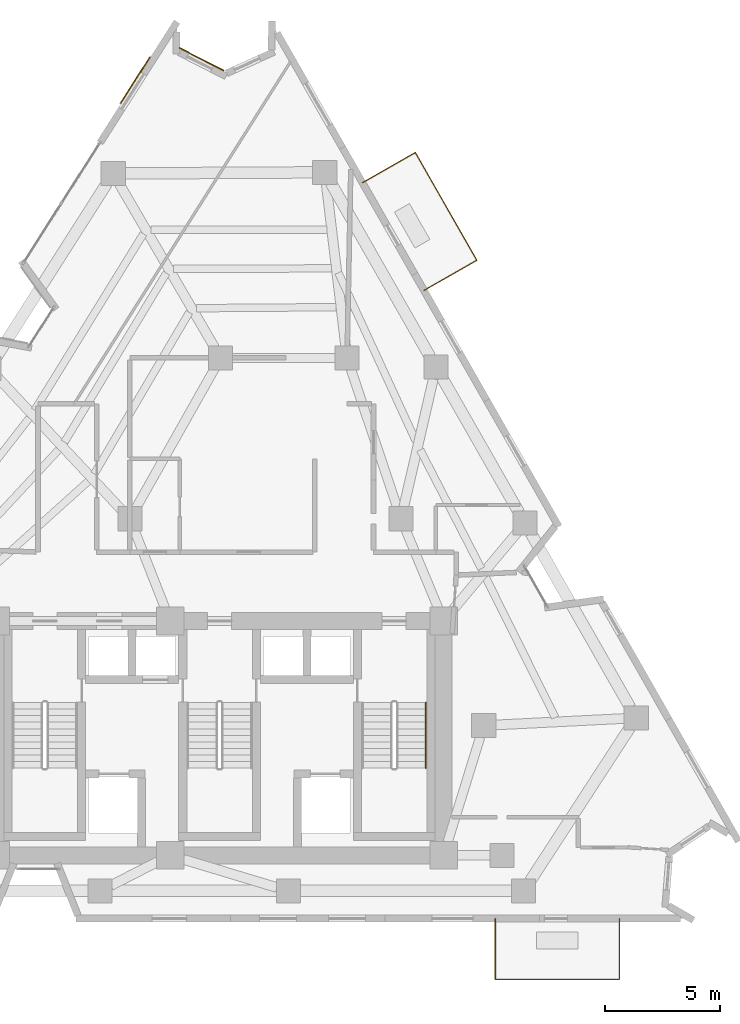
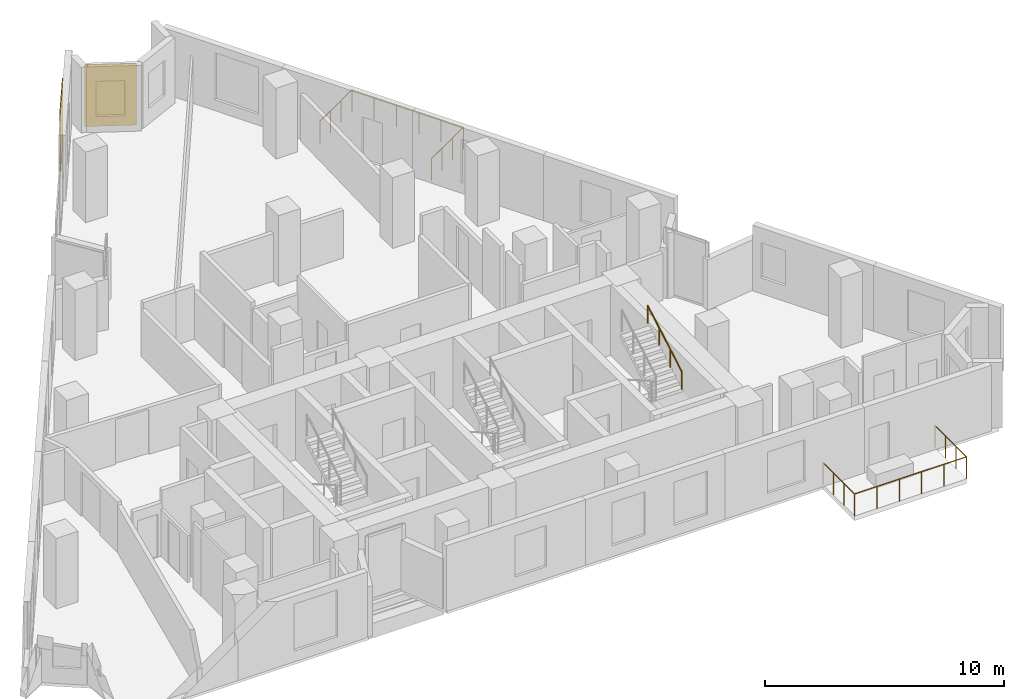
# One storey, part 12 of 12: 3 railings, 2 coverings.
"""IFC4 building model written with IfcOpenShell, lengths in metres."""

import ifcopenshell
import ifcopenshell.guid

model = None  # the IFC model being written
_history = None  # IfcOwnerHistory: only IFC2X3 demands one
_inside = {}  # id of a spatial element -> (the spatial element, [elements in it])
_under = {}  # id of a project, library or spatial element -> (it, [spatial elements below it])
_declared = {}  # id of a project -> (the project, [libraries it declares])
_typed = {}  # id of a type object -> (the type object, [elements of that type])
_made_of = {}  # id of a material, layer set ... -> (it, [elements and type objects made of it])


def new_model(schema):
    """Start an empty IFC model of exactly this schema.

    Asked for "IFC4X3", IfcOpenShell would pick the latest addendum, in which some entities
    have other attributes; the version numbers below select the first issue.
    IFC2X3 requires an IfcOwnerHistory on every rooted entity: one is made here for all.
    """
    global model, _history
    if schema == "IFC4X3":
        model = ifcopenshell.file(schema_version=(4, 3, 0, 0))
    else:
        model = ifcopenshell.file(schema=schema)
    _inside.clear()
    _under.clear()
    _declared.clear()
    _typed.clear()
    _made_of.clear()
    _history = None
    if model.schema == "IFC2X3":
        org = make("IfcOrganization", Name="unknown")
        user = make(
            "IfcPersonAndOrganization",
            ThePerson=make("IfcPerson", FamilyName="unknown"),
            TheOrganization=org,
        )
        app = make(
            "IfcApplication",
            ApplicationDeveloper=org,
            Version="unknown",
            ApplicationFullName="unknown",
            ApplicationIdentifier="unknown",
        )
        _history = make(
            "IfcOwnerHistory",
            OwningUser=user,
            OwningApplication=app,
            ChangeAction="ADDED",
            CreationDate=0,
        )
    return model


def make(cls, **values):
    """One entity of the class cls with the attributes given. An attribute that is None is left unset."""
    return model.create_entity(
        cls, **{name: value for name, value in values.items() if value is not None}
    )


def rooted(cls, **values):
    """An entity with a GlobalId (a new one), such as an element, a storey or a relation."""
    return make(cls, GlobalId=ifcopenshell.guid.new(), OwnerHistory=_history, **values)


def si_unit(unit_type, name, prefix=None):
    """IfcSIUnit, for example si_unit("LENGTHUNIT", "METRE", prefix="MILLI")."""
    return make("IfcSIUnit", UnitType=unit_type, Prefix=prefix, Name=name)


def assignment(units):
    """IfcUnitAssignment: the units of a project."""
    return None if units is None else make("IfcUnitAssignment", Units=units)


def point(xyz):
    """IfcCartesianPoint."""
    return None if xyz is None else make("IfcCartesianPoint", Coordinates=xyz)


def direction(xyz):
    """IfcDirection."""
    return None if xyz is None else make("IfcDirection", DirectionRatios=xyz)


def frame(location, z_axis=None, x_axis=None):
    """IfcAxis2Placement3D, a coordinate frame: its origin and axes. An axis left out is left unset."""
    return make(
        "IfcAxis2Placement3D",
        Location=point(location),
        Axis=direction(z_axis),
        RefDirection=direction(x_axis),
    )


def frame_2d(location, x_axis=None):
    """IfcAxis2Placement2D, a coordinate frame in the plane: its origin and x axis."""
    return make(
        "IfcAxis2Placement2D", Location=point(location), RefDirection=direction(x_axis)
    )


def origin():
    """The frame at (0, 0, 0) with its axes left unset."""
    return frame((0.0, 0.0, 0.0))


def origin_2d():
    """The frame at (0, 0) in the plane with its x axis left unset."""
    return frame_2d((0.0, 0.0))


def place(relative_to, where):
    """IfcLocalPlacement: puts the frame where relative to a parent placement (None: the world)."""
    return make(
        "IfcLocalPlacement", PlacementRelTo=relative_to, RelativePlacement=where
    )


def context(
    kind, dimensions, precision=None, world=None, true_north=None, identifier=None
):
    """IfcGeometricRepresentationContext, for example the 3D "Model" context."""
    return make(
        "IfcGeometricRepresentationContext",
        ContextIdentifier=identifier,
        ContextType=kind,
        CoordinateSpaceDimension=dimensions,
        Precision=precision,
        WorldCoordinateSystem=world,
        TrueNorth=true_north,
    )


def subcontext(parent, identifier, kind, view, scale=None):
    """IfcGeometricRepresentationSubContext, for example "Body" below "Model"."""
    return make(
        "IfcGeometricRepresentationSubContext",
        ContextIdentifier=identifier,
        ContextType=kind,
        ParentContext=parent,
        TargetScale=scale,
        TargetView=view,
    )


def project(units=None, contexts=None):
    """IfcProject with its units and contexts."""
    return rooted(
        "IfcProject",
        Name="project",
        RepresentationContexts=contexts,
        UnitsInContext=assignment(units),
    )


def spatial(cls, under=None, at=None, **own):
    """A site, building, storey or space (cls), placed at a placement, below another one or the project."""
    s = rooted(cls, ObjectPlacement=at, **own)
    if under is not None:
        _under.setdefault(under.id(), (under, []))[1].append(s)
    return s


def profile(cls, at=None, kind="AREA", **sizes):
    """A parametric profile (cls). Its sizes go by their IFC names, for example OverallWidth=200.0."""
    return make(cls, ProfileType=kind, Position=at, **sizes)


def rectangle(**sizes):
    """IfcRectangleProfileDef."""
    return profile("IfcRectangleProfileDef", **sizes)


def circle(**sizes):
    """IfcCircleProfileDef."""
    return profile("IfcCircleProfileDef", **sizes)


def extrude(swept, where, along, depth):
    """IfcExtrudedAreaSolid: the profile swept, set in the frame where, extruded along a direction by depth."""
    return make(
        "IfcExtrudedAreaSolid",
        SweptArea=swept,
        Position=where,
        ExtrudedDirection=direction(along),
        Depth=depth,
    )


def shape(context_of_items, identifier, shape_type, items):
    """IfcShapeRepresentation: the items that make up one representation, for example the "Body"."""
    return make(
        "IfcShapeRepresentation",
        ContextOfItems=context_of_items,
        RepresentationIdentifier=identifier,
        RepresentationType=shape_type,
        Items=items,
    )


def material(Name=None, Category=None):
    """IfcMaterial."""
    return make("IfcMaterial", Name=Name, Category=Category)


def layer(
    of_material, thickness, ventilated=None, Name=None, Category=None, Priority=None
):
    """IfcMaterialLayer: one layer of a wall or slab, of a material (None: an air gap)."""
    return make(
        "IfcMaterialLayer",
        Material=of_material,
        LayerThickness=thickness,
        IsVentilated=ventilated,
        Name=Name,
        Category=Category,
        Priority=Priority,
    )


def layer_set(layers, Name=None):
    """IfcMaterialLayerSet."""
    return make("IfcMaterialLayerSet", MaterialLayers=layers, LayerSetName=Name)


def made_of(thing, what):
    """Note that an element or type object is made of a material, layer set ...; save() writes the relation."""
    if what is not None:
        _made_of.setdefault(what.id(), (what, []))[1].append(thing)
    return thing


def type_object(cls, material=None, **own):
    """A type object (cls), such as IfcWallType, which elements share."""
    return made_of(rooted(cls, **own), material)


def element(
    cls,
    number,
    at=None,
    inside=None,
    cuts=None,
    type_object=None,
    material=None,
    context=None,
    identifier="Body",
    shape_type=None,
    held_by="IfcProductDefinitionShape",
    body=None,
    shapes=None,
    **own,
):
    """One element of the class cls, such as IfcWall. Its Tag is "e" and its number.

    at: its placement. inside: the storey or other place that contains it. cuts: it is an
    opening in that element (IfcRelVoidsElement). A single representation is given by context,
    identifier, shape_type and body (its items); several are given by shapes. held_by: the class
    of the entity that holds the representations. save() writes the other relations.
    """
    e = rooted(cls, Tag="e%d" % number, ObjectPlacement=at, **own)
    if body is not None:
        shapes = [shape(context, identifier, shape_type, body)]
    if shapes is not None:
        e.Representation = make(held_by, Representations=shapes)
    if inside is not None:
        _inside.setdefault(inside.id(), (inside, []))[1].append(e)
    if cuts is not None:
        rooted(
            "IfcRelVoidsElement", RelatingBuildingElement=cuts, RelatedOpeningElement=e
        )
    if type_object is not None:
        _typed.setdefault(type_object.id(), (type_object, []))[1].append(e)
    return made_of(e, material)


def aggregate(whole, parts):
    """IfcRelAggregates: a whole, such as a stair, and the parts it consists of."""
    return rooted("IfcRelAggregates", RelatingObject=whole, RelatedObjects=parts)


def save(model, path):
    """Write the relations noted so far, then the file.

    IfcRelAggregates (storeys below a building ...), IfcRelContainedInSpatialStructure (elements
    in a storey), IfcRelDefinesByType, IfcRelAssociatesMaterial and IfcRelDeclares: one each for
    every whole, place, type object, material and project.
    """
    for whole, parts in _under.values():
        aggregate(whole, parts)
    for where, things in _inside.values():
        rooted(
            "IfcRelContainedInSpatialStructure",
            RelatedElements=things,
            RelatingStructure=where,
        )
    for kind, things in _typed.values():
        rooted("IfcRelDefinesByType", RelatedObjects=things, RelatingType=kind)
    for what, things in _made_of.values():
        rooted("IfcRelAssociatesMaterial", RelatedObjects=things, RelatingMaterial=what)
    for by, libraries in _declared.values():
        rooted("IfcRelDeclares", RelatingContext=by, RelatedDefinitions=libraries)
    model.write(path)


model = new_model("IFC4")

# Units and contexts
model_context = context("Model", 3, precision=1e-05, world=origin(), true_north=direction((0.0, 1.0)))
body_context = subcontext(model_context, "Body", "Model", "MODEL_VIEW")
ifc_project = project(units=[si_unit("LENGTHUNIT", "METRE"), si_unit("AREAUNIT", "SQUARE_METRE"), si_unit("VOLUMEUNIT", "CUBIC_METRE"), si_unit("PLANEANGLEUNIT", "RADIAN"), si_unit("MASSUNIT", "GRAM", prefix="KILO")], contexts=[model_context])

# Site, building, storey
site_placement = place(None, origin())
site = spatial("IfcSite", under=ifc_project, at=site_placement, CompositionType="ELEMENT")
building_placement = place(site_placement, origin())
building = spatial("IfcBuilding", under=site, at=building_placement, Name="Almagre Mirador Tower", CompositionType="ELEMENT")
storey_placement = place(building_placement, frame((0.0, 0.0, 139.199951171875)))
storey = spatial("IfcBuildingStorey", under=building, at=storey_placement, Name="L35", CompositionType="ELEMENT", Elevation=139.199951171875)

# Coverings
ifc_material_1 = material(Name="Almagre terracotta architectural cladding", Category="masonry")
ifc_layer = layer(ifc_material_1, 0.044921875)
ifc_layer_set = layer_set([ifc_layer], Name="Almagre terracotta architectural cladding")
covering_type = type_object("IfcCoveringType", Name="COV-CLAD-ALMAGRE", PredefinedType="CLADDING", material=ifc_layer_set)
covering_1_placement = place(storey_placement, frame((33.631103515625, 38.288818359375, 0.10009765625), z_axis=(0.0, 0.0, 1.0), x_axis=(0.537108235069, 0.843513333517, 0.0)))
element("IfcCovering", 1, at=covering_1_placement, inside=storey, type_object=covering_type, Name="L35 almagre terracotta pier cladding", PredefinedType="CLADDING", context=body_context, shape_type="SweptSolid", body=[
    extrude(rectangle(XDim=2.39990234375, YDim=0.044921875, at=origin_2d()), origin(), (0.0, 0.0, 1.0), 3.14990234375),
])
covering_2_placement = place(storey_placement, frame((36.5205078125, 39.197509765625, 0.10009765625), z_axis=(0.0, 0.0, 1.0), x_axis=(0.890395600327, -0.455187516216, 0.0)))
element("IfcCovering", 2, at=covering_2_placement, inside=storey, type_object=covering_type, Name="L35 almagre terracotta pier cladding", PredefinedType="CLADDING", context=body_context, shape_type="SweptSolid", body=[
    extrude(rectangle(XDim=2.173095703125, YDim=0.044921875, at=origin_2d()), origin(), (0.0, 0.0, 1.0), 3.14990234375),
])

# Railings
ifc_material_2 = material(Name="Black anodized aluminium", Category="aluminium")
railing_type_1 = type_object("IfcRailingType", Name="RLG-BAL-1150", PredefinedType="BALUSTRADE", material=ifc_material_2)
railing_1_placement = place(storey_placement, frame((49.300048828125, 1.800048828125, 0.0)))
element("IfcRailing", 3, at=railing_1_placement, inside=storey, type_object=railing_type_1, Name="L35 south balcony balustrade 1", PredefinedType="BALUSTRADE", context=body_context, shape_type="SweptSolid", body=[
    extrude(circle(Radius=0.02392578125, at=origin_2d()), frame((0.0, 0.0, 1.1259765625), z_axis=(0.0, -1.0, 0.0), x_axis=(1.0, 0.0, 0.0)), (0.0, 0.0, 1.0), 2.650146484375),
    extrude(circle(Radius=0.02392578125, at=origin_2d()), frame((0.0, -2.650146484375, 1.1259765625), z_axis=(1.0, 0.0, 0.0), x_axis=(0.0, 1.0, 0.0)), (0.0, 0.0, 1.0), 5.39990234375),
    extrude(circle(Radius=0.02392578125, at=origin_2d()), frame((5.39990234375, -2.650146484375, 1.1259765625), z_axis=(0.0, 1.0, 0.0), x_axis=(-1.0, 0.0, 0.0)), (0.0, 0.0, 1.0), 2.650146484375),
    extrude(circle(Radius=0.02099609375, at=origin_2d()), origin(), (0.0, 0.0, 1.0), 1.101806640625),
    extrude(circle(Radius=0.02099609375, at=origin_2d()), frame((0.0, -0.88330078125, 0.0)), (0.0, 0.0, 1.0), 1.101806640625),
    extrude(circle(Radius=0.02099609375, at=origin_2d()), frame((0.0, -1.766845703125, 0.0)), (0.0, 0.0, 1.0), 1.101806640625),
    extrude(circle(Radius=0.02099609375, at=origin_2d()), frame((0.0, -2.650146484375, 0.0)), (0.0, 0.0, 1.0), 1.101806640625),
    extrude(circle(Radius=0.02099609375, at=origin_2d()), frame((1.080078125, -2.650146484375, 0.0)), (0.0, 0.0, 1.0), 1.101806640625),
    extrude(circle(Radius=0.02099609375, at=origin_2d()), frame((2.159912109375, -2.650146484375, 0.0)), (0.0, 0.0, 1.0), 1.101806640625),
    extrude(circle(Radius=0.02099609375, at=origin_2d()), frame((3.239990234375, -2.650146484375, 0.0)), (0.0, 0.0, 1.0), 1.101806640625),
    extrude(circle(Radius=0.02099609375, at=origin_2d()), frame((4.31982421875, -2.650146484375, 0.0)), (0.0, 0.0, 1.0), 1.101806640625),
    extrude(circle(Radius=0.02099609375, at=origin_2d()), frame((5.39990234375, -2.650146484375, 0.0)), (0.0, 0.0, 1.0), 1.101806640625),
    extrude(circle(Radius=0.02099609375, at=origin_2d()), frame((5.39990234375, -1.766845703125, 0.0)), (0.0, 0.0, 1.0), 1.101806640625),
    extrude(circle(Radius=0.02099609375, at=origin_2d()), frame((5.39990234375, -0.88330078125, 0.0)), (0.0, 0.0, 1.0), 1.101806640625),
    extrude(circle(Radius=0.02099609375, at=origin_2d()), frame((5.39990234375, 0.0, 0.0)), (0.0, 0.0, 1.0), 1.101806640625),
])
railing_2_placement = place(storey_placement, frame((46.197998046875, 29.135009765625, 0.0)))
element("IfcRailing", 4, at=railing_2_placement, inside=storey, type_object=railing_type_1, Name="L35 east balcony balustrade 2", PredefinedType="BALUSTRADE", context=body_context, shape_type="SweptSolid", body=[
    extrude(circle(Radius=0.02392578125, at=origin_2d()), frame((0.0, 0.0, 1.1259765625), z_axis=(0.868481104495, 0.495722272181, 0.0), x_axis=(-0.495722272181, 0.868481104495, 0.0)), (0.0, 0.0, 1.0), 2.650634765625),
    extrude(circle(Radius=0.02392578125, at=origin_2d()), frame((2.302001953125, 1.31396484375, 1.1259765625), z_axis=(-0.495725038793, 0.868479525328, 0.0), x_axis=(-0.868479525328, -0.495725038793, 0.0)), (0.0, 0.0, 1.0), 5.400146484375),
    extrude(circle(Radius=0.02392578125, at=origin_2d()), frame((-0.375, 6.00390625, 1.1259765625), z_axis=(-0.868390522878, -0.495880933064, 0.0), x_axis=(0.495880933064, -0.868390522878, 0.0)), (0.0, 0.0, 1.0), 2.649658203125),
    extrude(circle(Radius=0.02099609375, at=origin_2d()), origin(), (0.0, 0.0, 1.0), 1.101806640625),
    extrude(circle(Radius=0.02099609375, at=origin_2d()), frame((0.767333984375, 0.43798828125, 0.0)), (0.0, 0.0, 1.0), 1.101806640625),
    extrude(circle(Radius=0.02099609375, at=origin_2d()), frame((1.53466796875, 0.8759765625, 0.0)), (0.0, 0.0, 1.0), 1.101806640625),
    extrude(circle(Radius=0.02099609375, at=origin_2d()), frame((2.302001953125, 1.31396484375, 0.0)), (0.0, 0.0, 1.0), 1.101806640625),
    extrude(circle(Radius=0.02099609375, at=origin_2d()), frame((1.7666015625, 2.251953125, 0.0)), (0.0, 0.0, 1.0), 1.101806640625),
    extrude(circle(Radius=0.02099609375, at=origin_2d()), frame((1.231201171875, 3.18994140625, 0.0)), (0.0, 0.0, 1.0), 1.101806640625),
    extrude(circle(Radius=0.02099609375, at=origin_2d()), frame((0.69580078125, 4.1279296875, 0.0)), (0.0, 0.0, 1.0), 1.101806640625),
    extrude(circle(Radius=0.02099609375, at=origin_2d()), frame((0.160400390625, 5.06591796875, 0.0)), (0.0, 0.0, 1.0), 1.101806640625),
    extrude(circle(Radius=0.02099609375, at=origin_2d()), frame((-0.375, 6.00390625, 0.0)), (0.0, 0.0, 1.0), 1.101806640625),
    extrude(circle(Radius=0.02099609375, at=origin_2d()), frame((-1.14208984375, 5.56591796875, 0.0)), (0.0, 0.0, 1.0), 1.101806640625),
    extrude(circle(Radius=0.02099609375, at=origin_2d()), frame((-1.908935546875, 5.1279296875, 0.0)), (0.0, 0.0, 1.0), 1.101806640625),
    extrude(circle(Radius=0.02099609375, at=origin_2d()), frame((-2.676025390625, 4.68994140625, 0.0)), (0.0, 0.0, 1.0), 1.101806640625),
])
ifc_material_3 = material(Name="Brushed stainless steel", Category="steel")
railing_type_2 = type_object("IfcRailingType", Name="RLG-HND-915", PredefinedType="HANDRAIL", material=ifc_material_3)
railing_3_placement = place(storey_placement, frame((46.27490234375, 8.35009765625, 1.963623046875)))
element("IfcRailing", 5, at=railing_3_placement, inside=storey, type_object=railing_type_2, Name="L35 ST-3 stair handrail 2", PredefinedType="HANDRAIL", context=body_context, shape_type="SweptSolid", body=[
    extrude(circle(Radius=0.02392578125, at=origin_2d()), frame((0.0, 0.0, 0.89111328125), z_axis=(0.0, 0.867194282975, 0.497969954491), x_axis=(-1.0, 0.0, 0.0)), (0.0, 0.0, 1.0), 3.286376953125),
    extrude(circle(Radius=0.02099609375, at=origin_2d()), origin(), (0.0, 0.0, 1.0), 0.866943359375),
    extrude(circle(Radius=0.02099609375, at=origin_2d()), frame((0.0, 0.949951171875, 0.54541015625)), (0.0, 0.0, 1.0), 0.866943359375),
    extrude(circle(Radius=0.02099609375, at=origin_2d()), frame((0.0, 1.89990234375, 1.091064453125)), (0.0, 0.0, 1.0), 0.866943359375),
    extrude(circle(Radius=0.02099609375, at=origin_2d()), frame((0.0, 2.849853515625, 1.636474609375)), (0.0, 0.0, 1.0), 0.866943359375),
])

save(model, "model.ifc")
